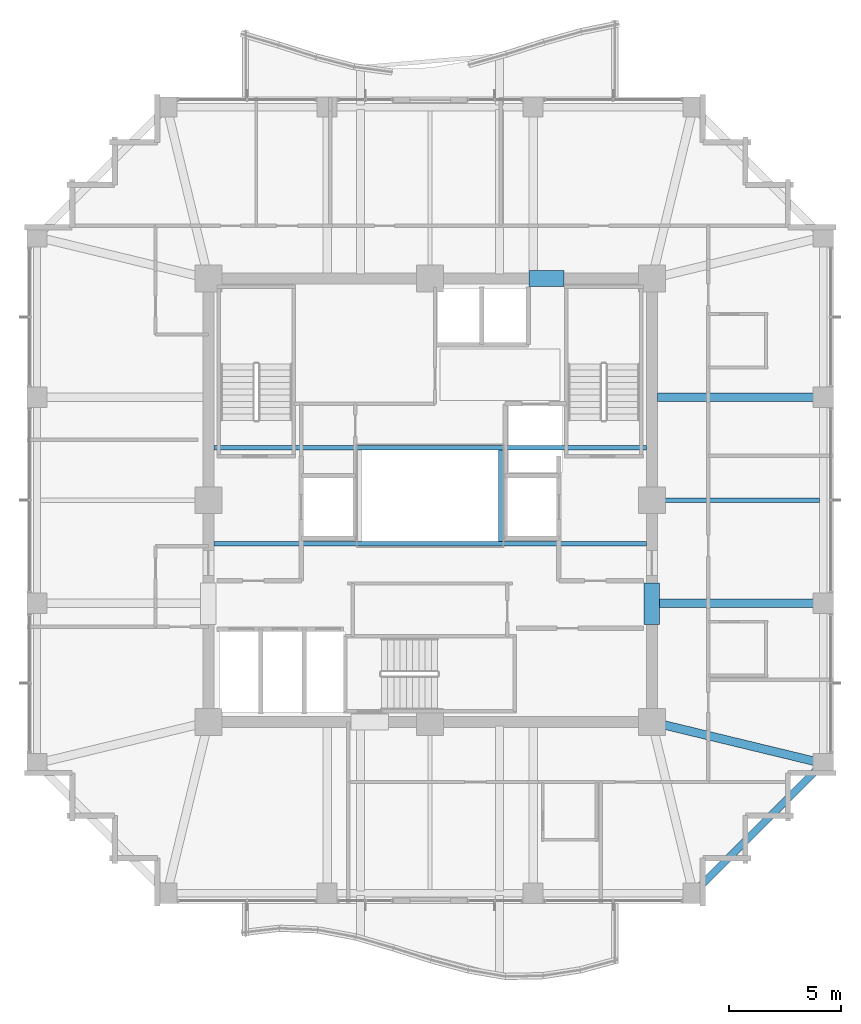
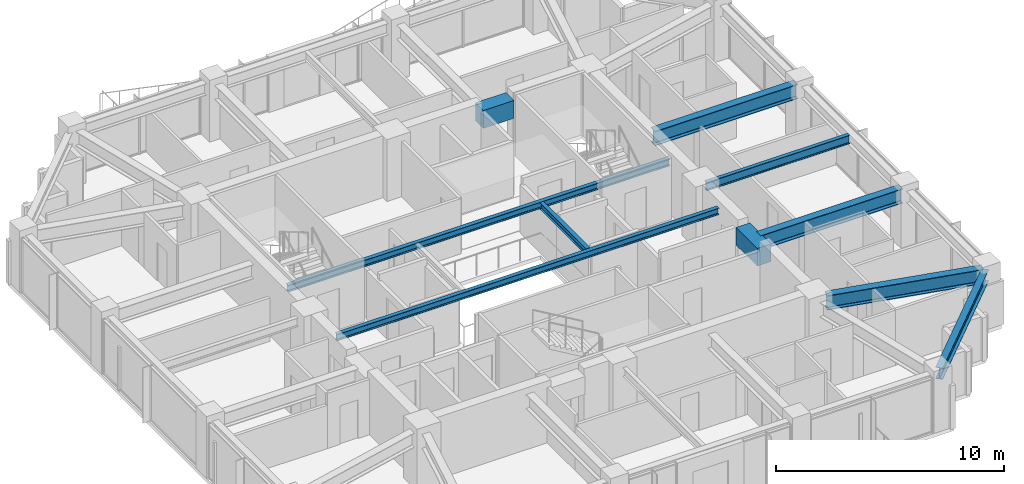
# One storey, part 12 of 31: 10 beams.
"""IFC4 building model written with IfcOpenShell, lengths in metres."""

from ifc_helpers import new_model, si_unit, direction, frame, origin, origin_2d, place, context, subcontext, project, spatial, rectangle, i_section, extrude, material, material_profile, profile_set, type_object, element, save


model = new_model("IFC4")

# Units and contexts
model_context = context("Model", 3, precision=1e-05, world=origin(), true_north=direction((0.0, 1.0)))
body_context = subcontext(model_context, "Body", "Model", "MODEL_VIEW")
ifc_project = project(units=[si_unit("LENGTHUNIT", "METRE"), si_unit("AREAUNIT", "SQUARE_METRE"), si_unit("VOLUMEUNIT", "CUBIC_METRE"), si_unit("PLANEANGLEUNIT", "RADIAN"), si_unit("MASSUNIT", "GRAM", prefix="KILO")], contexts=[model_context])

# Site, building, storey
site_placement = place(None, origin())
site = spatial("IfcSite", under=ifc_project, at=site_placement, CompositionType="ELEMENT")
building_placement = place(site_placement, origin())
building = spatial("IfcBuilding", under=site, at=building_placement, Name="Kolvaren Belvedere", CompositionType="ELEMENT")
storey_placement = place(building_placement, frame((0.0, 0.0, 144.800048828125)))
storey = spatial("IfcBuildingStorey", under=building, at=storey_placement, Name="L42", CompositionType="ELEMENT", Elevation=144.800048828125)

# Beams
ifc_material_1 = material(Name="Structural steel ASTM A992 Grade 50", Category="steel")
ifc_material_profile_1 = material_profile(ifc_material_1, i_section(OverallWidth=0.2041015625, OverallDepth=0.35009765625, WebThickness=0.008544921875, FlangeThickness=0.01513671875, FilletRadius=0.013916015625, at=origin_2d()), Name="W14X48")
ifc_profile_set_1 = profile_set([ifc_material_profile_1], Name="Structural steel ASTM A992 Grade 50")
beam_type_1 = type_object("IfcBeamType", Name="BM-ATRIUM-W14X48", PredefinedType="BEAM", material=ifc_profile_set_1)
for number, where, z_axis, x_axis, name in (
    (1, (-9.64990234375, -1.949951171875, 2.77490234375), (1.0, 0.0, 0.0), (0.0, 1.0, 0.0), "L42 Central Atrium South Girder AS"),
    (2, (-9.64990234375, 2.35009765625, 2.77490234375), (1.0, 0.0, 0.0), (0.0, 1.0, 0.0), "L42 Central Atrium North Girder AN"),
):
    element("IfcBeam", number, at=place(storey_placement, frame(where, z_axis=z_axis, x_axis=x_axis)), inside=storey, type_object=beam_type_1, Name=name, PredefinedType="BEAM", context=body_context, shape_type="SweptSolid", body=[
        extrude(i_section(OverallWidth=0.2041015625, OverallDepth=0.35009765625, WebThickness=0.008544921875, FlangeThickness=0.01513671875, FilletRadius=0.013916015625, at=origin_2d()), origin(), (0.0, 0.0, 1.0), 19.2998046875),
    ])
beam_1_placement = place(storey_placement, frame((3.14990234375, -1.840087890625, 2.77490234375), z_axis=(0.0, 1.0, 0.0), x_axis=(-1.0, 0.0, 0.0)))
element("IfcBeam", 3, at=beam_1_placement, inside=storey, type_object=beam_type_1, Name="L42 Central Atrium East Edge Beam AE", PredefinedType="BEAM", context=body_context, shape_type="SweptSolid", body=[
    extrude(i_section(OverallWidth=0.2041015625, OverallDepth=0.35009765625, WebThickness=0.008544921875, FlangeThickness=0.01513671875, FilletRadius=0.013916015625, at=origin_2d()), origin(), (0.0, 0.0, 1.0), 4.080078125),
])
ifc_material_2 = material(Name="Structural steel ASTM A992 Grade 50", Category="steel")
ifc_material_profile_2 = material_profile(ifc_material_2, i_section(OverallWidth=0.381103515625, OverallDepth=0.77294921875, WebThickness=0.0166015625, FlangeThickness=0.027099609375, FilletRadius=0.02392578125, at=origin_2d()), Name="W30X173")
ifc_profile_set_2 = profile_set([ifc_material_profile_2], Name="Structural steel ASTM A992 Grade 50")
beam_type_2 = type_object("IfcBeamType", Name="BM-GIRD-W30X173", PredefinedType="BEAM", material=ifc_profile_set_2)
for number, where, z_axis, x_axis, name in (
    (4, (10.14990234375, 4.60009765625, 2.5634765625), (1.0, 0.0, 0.0), (0.0, 1.0, 0.0), "L42 East Radial Girder P"),
    (5, (10.14990234375, -4.60009765625, 2.5634765625), (1.0, 0.0, 0.0), (0.0, 1.0, 0.0), "L42 East Radial Girder M"),
):
    element("IfcBeam", number, at=place(storey_placement, frame(where, z_axis=z_axis, x_axis=x_axis)), inside=storey, type_object=beam_type_2, Name=name, PredefinedType="BEAM", context=body_context, shape_type="SweptSolid", body=[
        extrude(i_section(OverallWidth=0.381103515625, OverallDepth=0.77294921875, WebThickness=0.0166015625, FlangeThickness=0.027099609375, FilletRadius=0.02392578125, at=origin_2d()), origin(), (0.0, 0.0, 1.0), 7.197509765625),
    ])
beam_2_placement = place(storey_placement, frame((10.4345703125, -10.029296875, 2.5634765625), z_axis=(0.971980197119, -0.235062749937, 0.0), x_axis=(0.235062749937, 0.971980197119, 0.0)))
element("IfcBeam", 6, at=beam_2_placement, inside=storey, type_object=beam_type_2, Name="L42 Corner Core-to-Perimeter Girder CC2-E1", PredefinedType="BEAM", context=body_context, shape_type="SweptSolid", body=[
    extrude(i_section(OverallWidth=0.381103515625, OverallDepth=0.77294921875, WebThickness=0.0166015625, FlangeThickness=0.027099609375, FilletRadius=0.02392578125, at=origin_2d()), origin(), (0.0, 0.0, 1.0), 7.140625),
])
ifc_material_3 = material(Name="Structural steel ASTM A992 Grade 50", Category="steel")
ifc_material_profile_3 = material_profile(ifc_material_3, i_section(OverallWidth=0.19091796875, OverallDepth=0.4599609375, WebThickness=0.010009765625, FlangeThickness=0.01611328125, FilletRadius=0.014892578125, at=origin_2d()), Name="W18X55")
ifc_profile_set_3 = profile_set([ifc_material_profile_3], Name="Structural steel ASTM A992 Grade 50")
beam_type_3 = type_object("IfcBeamType", Name="BM-JOIST-W18X55", PredefinedType="BEAM", material=ifc_profile_set_3)
beam_3_placement = place(storey_placement, frame((10.14990234375, 0.0, 2.719970703125), z_axis=(1.0, 0.0, 0.0), x_axis=(0.0, 1.0, 0.0)))
element("IfcBeam", 7, at=beam_3_placement, inside=storey, type_object=beam_type_3, Name="L42 East Centre Floor Beam", PredefinedType="BEAM", context=body_context, shape_type="SweptSolid", body=[
    extrude(i_section(OverallWidth=0.19091796875, OverallDepth=0.4599609375, WebThickness=0.010009765625, FlangeThickness=0.01611328125, FilletRadius=0.014892578125, at=origin_2d()), origin(), (0.0, 0.0, 1.0), 7.237548828125),
])
ifc_material_4 = material(Name="Concrete C60/75", Category="concrete")
ifc_material_profile_4 = material_profile(ifc_material_4, rectangle(XDim=0.699951171875, YDim=0.949951171875, at=origin_2d()), Name="RC 700X950")
ifc_profile_set_4 = profile_set([ifc_material_profile_4], Name="Concrete C60/75")
beam_type_4 = type_object("IfcBeamType", Name="BM-LINT-950", PredefinedType="LINTEL", material=ifc_profile_set_4)
beam_4_placement = place(storey_placement, frame((4.419921875, 9.89990234375, 2.474853515625), z_axis=(1.0, 0.0, 0.0), x_axis=(0.0, 1.0, 0.0)))
element("IfcBeam", 8, at=beam_4_placement, inside=storey, type_object=beam_type_4, Name="L42 North Core Coupling Lintel", PredefinedType="LINTEL", context=body_context, shape_type="SweptSolid", body=[
    extrude(rectangle(XDim=0.699951171875, YDim=0.949951171875, at=origin_2d()), origin(), (0.0, 0.0, 1.0), 1.56005859375),
])
beam_5_placement = place(storey_placement, frame((9.89990234375, -5.550048828125, 2.474853515625), z_axis=(0.0, 1.0, 0.0), x_axis=(-1.0, 0.0, 0.0)))
element("IfcBeam", 9, at=beam_5_placement, inside=storey, type_object=beam_type_4, Name="L42 East Core Coupling Lintel", PredefinedType="LINTEL", context=body_context, shape_type="SweptSolid", body=[
    extrude(rectangle(XDim=0.699951171875, YDim=0.949951171875, at=origin_2d()), origin(), (0.0, 0.0, 1.0), 1.85009765625),
])
ifc_material_5 = material(Name="Structural steel ASTM A992 Grade 50", Category="steel")
ifc_material_profile_5 = material_profile(ifc_material_5, i_section(OverallWidth=0.324951171875, OverallDepth=0.615966796875, WebThickness=0.013916015625, FlangeThickness=0.021484375, FilletRadius=0.02001953125, at=origin_2d()), Name="W24X117")
ifc_profile_set_5 = profile_set([ifc_material_profile_5], Name="Structural steel ASTM A992 Grade 50")
beam_type_5 = type_object("IfcBeamType", Name="BM-SPAN-W24X117", PredefinedType="SPANDREL", material=ifc_profile_set_5)
beam_6_placement = place(storey_placement, frame((11.893310546875, -17.40673828125, 2.641845703125), z_axis=(0.707106781187, 0.707106781187, 0.0), x_axis=(-0.707106781187, 0.707106781187, 0.0)))
element("IfcBeam", 10, at=beam_6_placement, inside=storey, type_object=beam_type_5, Name="L42 Perimeter Spandrel S4-E1", PredefinedType="SPANDREL", context=body_context, shape_type="SweptSolid", body=[
    extrude(i_section(OverallWidth=0.324951171875, OverallDepth=0.615966796875, WebThickness=0.013916015625, FlangeThickness=0.021484375, FilletRadius=0.02001953125, at=origin_2d()), origin(), (0.0, 0.0, 1.0), 7.797119140625),
])

save(model, "model.ifc")
